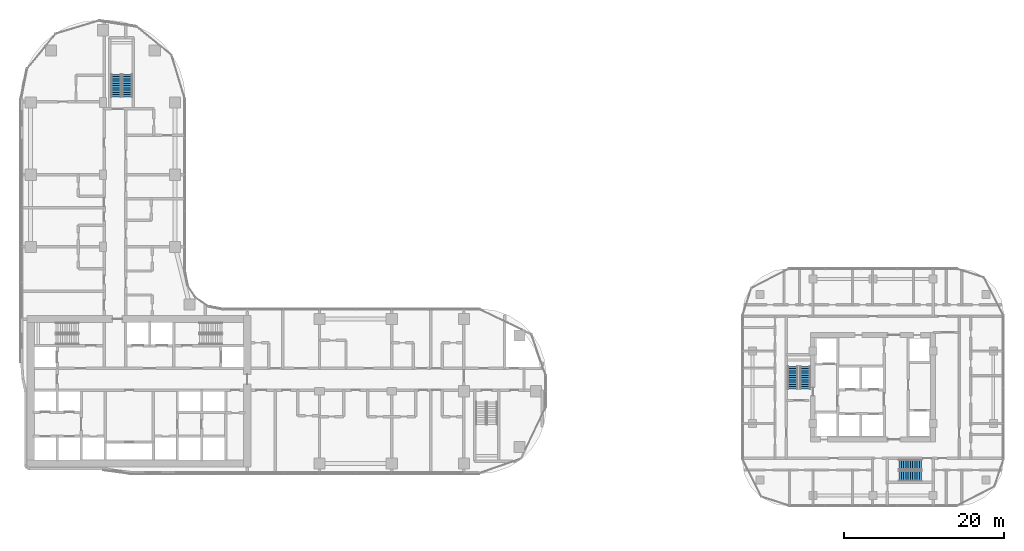
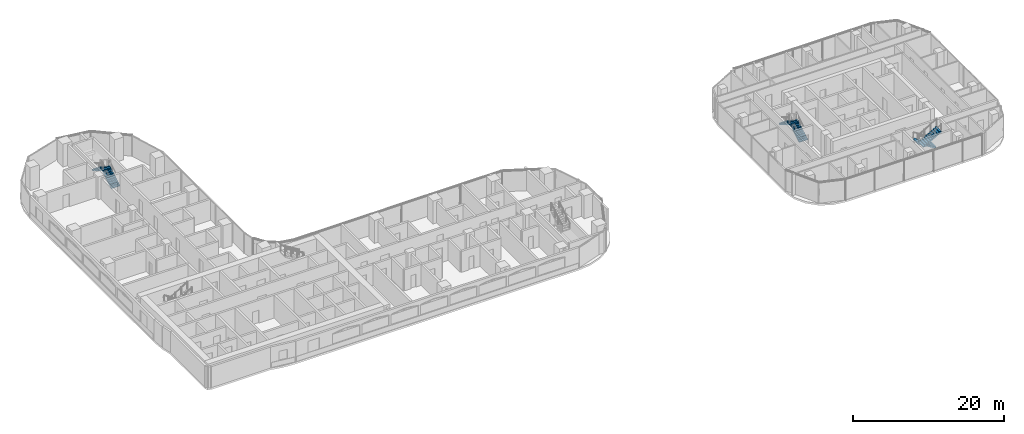
# One storey, part 29 of 36: 6 stair flights, 3 elements without a shape of their own.
"""IFC4 building model written with IfcOpenShell, lengths in metres."""

from ifc_helpers import new_model, si_unit, direction, frame, origin, place, context, subcontext, project, spatial, triangles, source, transform, mapped, material, type_object, element, aggregate, save


model = new_model("IFC4")

# Units and contexts
model_context = context("Model", 3, precision=1e-05, world=origin(), true_north=direction((0.0, 1.0)))
body_context = subcontext(model_context, "Body", "Model", "MODEL_VIEW")
ifc_project = project(units=[si_unit("LENGTHUNIT", "METRE"), si_unit("AREAUNIT", "SQUARE_METRE"), si_unit("VOLUMEUNIT", "CUBIC_METRE"), si_unit("PLANEANGLEUNIT", "RADIAN"), si_unit("MASSUNIT", "GRAM", prefix="KILO")], contexts=[model_context])

# Site, building, storey
site_placement = place(None, origin())
site = spatial("IfcSite", under=ifc_project, at=site_placement, CompositionType="ELEMENT")
building_placement = place(site_placement, origin())
building = spatial("IfcBuilding", under=site, at=building_placement, Name="Ogive Portal Towers", CompositionType="ELEMENT")
storey_placement = place(building_placement, frame((0.0, 0.0, 48.300048828125)))
storey = spatial("IfcBuildingStorey", under=building, at=storey_placement, Name="L10", CompositionType="ELEMENT", Elevation=48.300048828125)

# Stair, stair flights
ifc_material = material(Name="Concrete C40/50", Category="concrete")
stair_type = type_object("IfcStairType", Name="INT-STAIR", PredefinedType="HALF_TURN_STAIR", material=ifc_material)
stair_1_placement = place(storey_placement, origin())
stair_1 = element("IfcStair", 1, at=stair_1_placement, inside=storey, type_object=stair_type, Name="L10 Exit Stair ST-A3", PredefinedType="HALF_TURN_STAIR")
stair_flight_type = type_object("IfcStairFlightType", Name="INT-FLIGHT", PredefinedType="STRAIGHT", material=ifc_material)
shared_shape = source(origin(), body_context, "Body", "Tessellation", [
    triangles([(0.0, -0.650146484375, 0.0), (0.0, -0.376220703125, 0.0), (0.0, -0.192626953125, 0.0), (0.0, -0.081298828125, 0.0), (0.0, -0.024169921875, 0.0), (0.0, -0.003173828125, 0.0), (0.0, 0.0, 0.0), (0.0, 0.0029296875, 0.0), (0.0, 0.02392578125, 0.0), (0.0, 0.0810546875, 0.0), (0.0, 0.1923828125, 0.0), (0.0, 0.3759765625, 0.0), (0.0, 0.64990234375, 0.0), (0.0, -0.650146484375, 0.168212890625), (0.0, -0.376220703125, 0.168212890625), (0.0, -0.192626953125, 0.168212890625), (0.0, -0.081298828125, 0.168212890625), (0.0, -0.024169921875, 0.168212890625), (0.0, -0.003173828125, 0.168212890625), (0.0, 0.0, 0.168212890625), (0.0, 0.0029296875, 0.168212890625), (0.0, 0.02392578125, 0.168212890625), (0.0, 0.0810546875, 0.168212890625), (0.0, 0.1923828125, 0.168212890625), (0.0, 0.3759765625, 0.168212890625), (0.0, 0.64990234375, 0.168212890625), (0.280029296875, -0.650146484375, 0.168212890625), (0.280029296875, -0.376220703125, 0.168212890625), (0.280029296875, -0.192626953125, 0.168212890625), (0.280029296875, -0.081298828125, 0.168212890625), (0.280029296875, -0.024169921875, 0.168212890625), (0.280029296875, -0.003173828125, 0.168212890625), (0.280029296875, 0.0, 0.168212890625), (0.280029296875, 0.0029296875, 0.168212890625), (0.280029296875, 0.02392578125, 0.168212890625), (0.280029296875, 0.0810546875, 0.168212890625), (0.280029296875, 0.1923828125, 0.168212890625), (0.280029296875, 0.3759765625, 0.168212890625), (0.280029296875, 0.64990234375, 0.168212890625), (0.280029296875, -0.650146484375, 0.33642578125), (0.280029296875, -0.376220703125, 0.33642578125), (0.280029296875, -0.192626953125, 0.33642578125), (0.280029296875, -0.081298828125, 0.33642578125), (0.280029296875, -0.024169921875, 0.33642578125), (0.280029296875, -0.003173828125, 0.33642578125), (0.280029296875, 0.0, 0.33642578125), (0.280029296875, 0.0029296875, 0.33642578125), (0.280029296875, 0.02392578125, 0.33642578125), (0.280029296875, 0.0810546875, 0.33642578125), (0.280029296875, 0.1923828125, 0.33642578125), (0.280029296875, 0.3759765625, 0.33642578125), (0.280029296875, 0.64990234375, 0.33642578125), (0.56005859375, -0.650146484375, 0.33642578125), (0.56005859375, -0.376220703125, 0.33642578125), (0.56005859375, -0.192626953125, 0.33642578125), (0.56005859375, -0.081298828125, 0.33642578125), (0.56005859375, -0.024169921875, 0.33642578125), (0.56005859375, -0.003173828125, 0.33642578125), (0.56005859375, 0.0, 0.33642578125), (0.56005859375, 0.0029296875, 0.33642578125), (0.56005859375, 0.02392578125, 0.33642578125), (0.56005859375, 0.0810546875, 0.33642578125), (0.56005859375, 0.1923828125, 0.33642578125), (0.56005859375, 0.3759765625, 0.33642578125), (0.56005859375, 0.64990234375, 0.33642578125), (0.56005859375, -0.650146484375, 0.504638671875), (0.56005859375, -0.376220703125, 0.504638671875), (0.56005859375, -0.192626953125, 0.504638671875), (0.56005859375, -0.081298828125, 0.504638671875), (0.56005859375, -0.024169921875, 0.504638671875), (0.56005859375, -0.003173828125, 0.504638671875), (0.56005859375, 0.0, 0.504638671875), (0.56005859375, 0.0029296875, 0.504638671875), (0.56005859375, 0.02392578125, 0.504638671875), (0.56005859375, 0.0810546875, 0.504638671875), (0.56005859375, 0.1923828125, 0.504638671875), (0.56005859375, 0.3759765625, 0.504638671875), (0.56005859375, 0.64990234375, 0.504638671875), (0.840087890625, -0.650146484375, 0.504638671875), (0.840087890625, -0.376220703125, 0.504638671875), (0.840087890625, -0.192626953125, 0.504638671875), (0.840087890625, -0.081298828125, 0.504638671875), (0.840087890625, -0.024169921875, 0.504638671875), (0.840087890625, -0.003173828125, 0.504638671875), (0.840087890625, 0.0, 0.504638671875), (0.840087890625, 0.0029296875, 0.504638671875), (0.840087890625, 0.02392578125, 0.504638671875), (0.840087890625, 0.0810546875, 0.504638671875), (0.840087890625, 0.1923828125, 0.504638671875), (0.840087890625, 0.3759765625, 0.504638671875), (0.840087890625, 0.64990234375, 0.504638671875), (0.840087890625, -0.650146484375, 0.672607421875), (0.840087890625, -0.376220703125, 0.672607421875), (0.840087890625, -0.192626953125, 0.672607421875), (0.840087890625, -0.081298828125, 0.672607421875), (0.840087890625, -0.024169921875, 0.672607421875), (0.840087890625, -0.003173828125, 0.672607421875), (0.840087890625, 0.0, 0.672607421875), (0.840087890625, 0.0029296875, 0.672607421875), (0.840087890625, 0.02392578125, 0.672607421875), (0.840087890625, 0.0810546875, 0.672607421875), (0.840087890625, 0.1923828125, 0.672607421875), (0.840087890625, 0.3759765625, 0.672607421875), (0.840087890625, 0.64990234375, 0.672607421875), (1.1201171875, -0.650146484375, 0.672607421875), (1.1201171875, -0.376220703125, 0.672607421875), (1.1201171875, -0.192626953125, 0.672607421875), (1.1201171875, -0.081298828125, 0.672607421875), (1.1201171875, -0.024169921875, 0.672607421875), (1.1201171875, -0.003173828125, 0.672607421875), (1.1201171875, 0.0, 0.672607421875), (1.1201171875, 0.0029296875, 0.672607421875), (1.1201171875, 0.02392578125, 0.672607421875), (1.1201171875, 0.0810546875, 0.672607421875), (1.1201171875, 0.1923828125, 0.672607421875), (1.1201171875, 0.3759765625, 0.672607421875), (1.1201171875, 0.64990234375, 0.672607421875), (1.1201171875, -0.650146484375, 0.8408203125), (1.1201171875, -0.376220703125, 0.8408203125), (1.1201171875, -0.192626953125, 0.8408203125), (1.1201171875, -0.081298828125, 0.8408203125), (1.1201171875, -0.024169921875, 0.8408203125), (1.1201171875, -0.003173828125, 0.8408203125), (1.1201171875, 0.0, 0.8408203125), (1.1201171875, 0.0029296875, 0.8408203125), (1.1201171875, 0.02392578125, 0.8408203125), (1.1201171875, 0.0810546875, 0.8408203125), (1.1201171875, 0.1923828125, 0.8408203125), (1.1201171875, 0.3759765625, 0.8408203125), (1.1201171875, 0.64990234375, 0.8408203125), (1.39990234375, -0.650146484375, 0.8408203125), (1.39990234375, -0.376220703125, 0.8408203125), (1.39990234375, -0.192626953125, 0.8408203125), (1.39990234375, -0.081298828125, 0.8408203125), (1.39990234375, -0.024169921875, 0.8408203125), (1.39990234375, -0.003173828125, 0.8408203125), (1.39990234375, 0.0, 0.8408203125), (1.39990234375, 0.0029296875, 0.8408203125), (1.39990234375, 0.02392578125, 0.8408203125), (1.39990234375, 0.0810546875, 0.8408203125), (1.39990234375, 0.1923828125, 0.8408203125), (1.39990234375, 0.3759765625, 0.8408203125), (1.39990234375, 0.64990234375, 0.8408203125), (1.39990234375, -0.650146484375, 1.009033203125), (1.39990234375, -0.376220703125, 1.009033203125), (1.39990234375, -0.192626953125, 1.009033203125), (1.39990234375, -0.081298828125, 1.009033203125), (1.39990234375, -0.024169921875, 1.009033203125), (1.39990234375, -0.003173828125, 1.009033203125), (1.39990234375, 0.0, 1.009033203125), (1.39990234375, 0.0029296875, 1.009033203125), (1.39990234375, 0.02392578125, 1.009033203125), (1.39990234375, 0.0810546875, 1.009033203125), (1.39990234375, 0.1923828125, 1.009033203125), (1.39990234375, 0.3759765625, 1.009033203125), (1.39990234375, 0.64990234375, 1.009033203125), (1.679931640625, -0.650146484375, 1.009033203125), (1.679931640625, -0.376220703125, 1.009033203125), (1.679931640625, -0.192626953125, 1.009033203125), (1.679931640625, -0.081298828125, 1.009033203125), (1.679931640625, -0.024169921875, 1.009033203125), (1.679931640625, -0.003173828125, 1.009033203125), (1.679931640625, 0.0, 1.009033203125), (1.679931640625, 0.0029296875, 1.009033203125), (1.679931640625, 0.02392578125, 1.009033203125), (1.679931640625, 0.0810546875, 1.009033203125), (1.679931640625, 0.1923828125, 1.009033203125), (1.679931640625, 0.3759765625, 1.009033203125), (1.679931640625, 0.64990234375, 1.009033203125), (1.679931640625, -0.650146484375, 1.17724609375), (1.679931640625, -0.376220703125, 1.17724609375), (1.679931640625, -0.192626953125, 1.17724609375), (1.679931640625, -0.081298828125, 1.17724609375), (1.679931640625, -0.024169921875, 1.17724609375), (1.679931640625, -0.003173828125, 1.17724609375), (1.679931640625, 0.0, 1.17724609375), (1.679931640625, 0.0029296875, 1.17724609375), (1.679931640625, 0.02392578125, 1.17724609375), (1.679931640625, 0.0810546875, 1.17724609375), (1.679931640625, 0.1923828125, 1.17724609375), (1.679931640625, 0.3759765625, 1.17724609375), (1.679931640625, 0.64990234375, 1.17724609375), (1.9599609375, -0.650146484375, 1.17724609375), (1.9599609375, -0.376220703125, 1.17724609375), (1.9599609375, -0.192626953125, 1.17724609375), (1.9599609375, -0.081298828125, 1.17724609375), (1.9599609375, -0.024169921875, 1.17724609375), (1.9599609375, -0.003173828125, 1.17724609375), (1.9599609375, 0.0, 1.17724609375), (1.9599609375, 0.0029296875, 1.17724609375), (1.9599609375, 0.02392578125, 1.17724609375), (1.9599609375, 0.0810546875, 1.17724609375), (1.9599609375, 0.1923828125, 1.17724609375), (1.9599609375, 0.3759765625, 1.17724609375), (1.9599609375, 0.64990234375, 1.17724609375), (1.9599609375, -0.650146484375, 1.345458984375), (1.9599609375, -0.376220703125, 1.345458984375), (1.9599609375, -0.192626953125, 1.345458984375), (1.9599609375, -0.081298828125, 1.345458984375), (1.9599609375, -0.024169921875, 1.345458984375), (1.9599609375, -0.003173828125, 1.345458984375), (1.9599609375, 0.0, 1.345458984375), (1.9599609375, 0.0029296875, 1.345458984375), (1.9599609375, 0.02392578125, 1.345458984375), (1.9599609375, 0.0810546875, 1.345458984375), (1.9599609375, 0.1923828125, 1.345458984375), (1.9599609375, 0.3759765625, 1.345458984375), (1.9599609375, 0.64990234375, 1.345458984375), (2.239990234375, -0.650146484375, 1.345458984375), (2.239990234375, -0.376220703125, 1.345458984375), (2.239990234375, -0.192626953125, 1.345458984375), (2.239990234375, -0.081298828125, 1.345458984375), (2.239990234375, -0.024169921875, 1.345458984375), (2.239990234375, -0.003173828125, 1.345458984375), (2.239990234375, 0.0, 1.345458984375), (2.239990234375, 0.0029296875, 1.345458984375), (2.239990234375, 0.02392578125, 1.345458984375), (2.239990234375, 0.0810546875, 1.345458984375), (2.239990234375, 0.1923828125, 1.345458984375), (2.239990234375, 0.3759765625, 1.345458984375), (2.239990234375, 0.64990234375, 1.345458984375), (2.239990234375, -0.650146484375, 1.513671875), (2.239990234375, -0.376220703125, 1.513671875), (2.239990234375, -0.192626953125, 1.513671875), (2.239990234375, -0.081298828125, 1.513671875), (2.239990234375, -0.024169921875, 1.513671875), (2.239990234375, -0.003173828125, 1.513671875), (2.239990234375, 0.0, 1.513671875), (2.239990234375, 0.0029296875, 1.513671875), (2.239990234375, 0.02392578125, 1.513671875), (2.239990234375, 0.0810546875, 1.513671875), (2.239990234375, 0.1923828125, 1.513671875), (2.239990234375, 0.3759765625, 1.513671875), (2.239990234375, 0.64990234375, 1.513671875), (2.52001953125, -0.650146484375, 1.513671875), (2.52001953125, -0.376220703125, 1.513671875), (2.52001953125, -0.192626953125, 1.513671875), (2.52001953125, -0.081298828125, 1.513671875), (2.52001953125, -0.024169921875, 1.513671875), (2.52001953125, -0.003173828125, 1.513671875), (2.52001953125, 0.0, 1.513671875), (2.52001953125, 0.0029296875, 1.513671875), (2.52001953125, 0.02392578125, 1.513671875), (2.52001953125, 0.0810546875, 1.513671875), (2.52001953125, 0.1923828125, 1.513671875), (2.52001953125, 0.3759765625, 1.513671875), (2.52001953125, 0.64990234375, 1.513671875), (2.52001953125, -0.650146484375, 1.681884765625), (2.52001953125, -0.376220703125, 1.681884765625), (2.52001953125, -0.192626953125, 1.681884765625), (2.52001953125, -0.081298828125, 1.681884765625), (2.52001953125, -0.024169921875, 1.681884765625), (2.52001953125, -0.003173828125, 1.681884765625), (2.52001953125, 0.0, 1.681884765625), (2.52001953125, 0.0029296875, 1.681884765625), (2.52001953125, 0.02392578125, 1.681884765625), (2.52001953125, 0.0810546875, 1.681884765625), (2.52001953125, 0.1923828125, 1.681884765625), (2.52001953125, 0.3759765625, 1.681884765625), (2.52001953125, 0.64990234375, 1.681884765625), (2.800048828125, -0.650146484375, 1.681884765625), (2.800048828125, -0.376220703125, 1.681884765625), (2.800048828125, -0.192626953125, 1.681884765625), (2.800048828125, -0.081298828125, 1.681884765625), (2.800048828125, -0.024169921875, 1.681884765625), (2.800048828125, -0.003173828125, 1.681884765625), (2.800048828125, 0.0, 1.681884765625), (2.800048828125, 0.0029296875, 1.681884765625), (2.800048828125, 0.02392578125, 1.681884765625), (2.800048828125, 0.0810546875, 1.681884765625), (2.800048828125, 0.1923828125, 1.681884765625), (2.800048828125, 0.3759765625, 1.681884765625), (2.800048828125, 0.64990234375, 1.681884765625), (2.800048828125, -0.650146484375, 1.5068359375), (2.800048828125, -0.376220703125, 1.5068359375), (2.800048828125, -0.192626953125, 1.5068359375), (2.800048828125, -0.081298828125, 1.5068359375), (2.800048828125, -0.024169921875, 1.5068359375), (2.800048828125, -0.003173828125, 1.5068359375), (2.800048828125, 0.0, 1.5068359375), (2.800048828125, 0.0029296875, 1.5068359375), (2.800048828125, 0.02392578125, 1.5068359375), (2.800048828125, 0.0810546875, 1.5068359375), (2.800048828125, 0.1923828125, 1.5068359375), (2.800048828125, 0.3759765625, 1.5068359375), (2.800048828125, 0.64990234375, 1.5068359375), (0.291015625, -0.650146484375, 0.0), (0.291015625, -0.376220703125, 0.0), (0.291015625, -0.192626953125, 0.0), (0.291015625, -0.081298828125, 0.0), (0.291015625, -0.024169921875, 0.0), (0.291015625, -0.003173828125, 0.0), (0.291015625, 0.0, 0.0), (0.291015625, 0.0029296875, 0.0), (0.291015625, 0.02392578125, 0.0), (0.291015625, 0.0810546875, 0.0), (0.291015625, 0.1923828125, 0.0), (0.291015625, 0.3759765625, 0.0), (0.291015625, 0.64990234375, 0.0)], [[1, 14, 15], [1, 15, 2], [2, 15, 16], [2, 16, 3], [3, 16, 17], [3, 17, 4], [4, 17, 18], [4, 18, 5], [5, 18, 19], [5, 19, 6], [6, 19, 20], [6, 20, 7], [7, 20, 21], [7, 21, 8], [8, 21, 22], [8, 22, 9], [9, 22, 23], [9, 23, 10], [10, 23, 24], [10, 24, 11], [11, 24, 25], [11, 25, 12], [12, 25, 26], [12, 26, 13], [14, 27, 28], [14, 28, 15], [15, 28, 29], [15, 29, 16], [16, 29, 30], [16, 30, 17], [17, 30, 31], [17, 31, 18], [18, 31, 32], [18, 32, 19], [19, 32, 33], [19, 33, 20], [20, 33, 34], [20, 34, 21], [21, 34, 35], [21, 35, 22], [22, 35, 36], [22, 36, 23], [23, 36, 37], [23, 37, 24], [24, 37, 38], [24, 38, 25], [25, 38, 39], [25, 39, 26], [27, 40, 41], [27, 41, 28], [28, 41, 42], [28, 42, 29], [29, 42, 43], [29, 43, 30], [30, 43, 44], [30, 44, 31], [31, 44, 45], [31, 45, 32], [32, 45, 46], [32, 46, 33], [33, 46, 47], [33, 47, 34], [34, 47, 48], [34, 48, 35], [35, 48, 49], [35, 49, 36], [36, 49, 50], [36, 50, 37], [37, 50, 51], [37, 51, 38], [38, 51, 52], [38, 52, 39], [40, 53, 54], [40, 54, 41], [41, 54, 55], [41, 55, 42], [42, 55, 56], [42, 56, 43], [43, 56, 57], [43, 57, 44], [44, 57, 58], [44, 58, 45], [45, 58, 59], [45, 59, 46], [46, 59, 60], [46, 60, 47], [47, 60, 61], [47, 61, 48], [48, 61, 62], [48, 62, 49], [49, 62, 63], [49, 63, 50], [50, 63, 64], [50, 64, 51], [51, 64, 65], [51, 65, 52], [53, 66, 67], [53, 67, 54], [54, 67, 68], [54, 68, 55], [55, 68, 69], [55, 69, 56], [56, 69, 70], [56, 70, 57], [57, 70, 71], [57, 71, 58], [58, 71, 72], [58, 72, 59], [59, 72, 73], [59, 73, 60], [60, 73, 74], [60, 74, 61], [61, 74, 75], [61, 75, 62], [62, 75, 76], [62, 76, 63], [63, 76, 77], [63, 77, 64], [64, 77, 78], [64, 78, 65], [66, 79, 80], [66, 80, 67], [67, 80, 81], [67, 81, 68], [68, 81, 82], [68, 82, 69], [69, 82, 83], [69, 83, 70], [70, 83, 84], [70, 84, 71], [71, 84, 85], [71, 85, 72], [72, 85, 86], [72, 86, 73], [73, 86, 87], [73, 87, 74], [74, 87, 88], [74, 88, 75], [75, 88, 89], [75, 89, 76], [76, 89, 90], [76, 90, 77], [77, 90, 91], [77, 91, 78], [79, 92, 93], [79, 93, 80], [80, 93, 94], [80, 94, 81], [81, 94, 95], [81, 95, 82], [82, 95, 96], [82, 96, 83], [83, 96, 97], [83, 97, 84], [84, 97, 98], [84, 98, 85], [85, 98, 99], [85, 99, 86], [86, 99, 100], [86, 100, 87], [87, 100, 101], [87, 101, 88], [88, 101, 102], [88, 102, 89], [89, 102, 103], [89, 103, 90], [90, 103, 104], [90, 104, 91], [92, 105, 106], [92, 106, 93], [93, 106, 107], [93, 107, 94], [94, 107, 108], [94, 108, 95], [95, 108, 109], [95, 109, 96], [96, 109, 110], [96, 110, 97], [97, 110, 111], [97, 111, 98], [98, 111, 112], [98, 112, 99], [99, 112, 113], [99, 113, 100], [100, 113, 114], [100, 114, 101], [101, 114, 115], [101, 115, 102], [102, 115, 116], [102, 116, 103], [103, 116, 117], [103, 117, 104], [105, 118, 119], [105, 119, 106], [106, 119, 120], [106, 120, 107], [107, 120, 121], [107, 121, 108], [108, 121, 122], [108, 122, 109], [109, 122, 123], [109, 123, 110], [110, 123, 124], [110, 124, 111], [111, 124, 125], [111, 125, 112], [112, 125, 126], [112, 126, 113], [113, 126, 127], [113, 127, 114], [114, 127, 128], [114, 128, 115], [115, 128, 129], [115, 129, 116], [116, 129, 130], [116, 130, 117], [118, 131, 132], [118, 132, 119], [119, 132, 133], [119, 133, 120], [120, 133, 134], [120, 134, 121], [121, 134, 135], [121, 135, 122], [122, 135, 136], [122, 136, 123], [123, 136, 137], [123, 137, 124], [124, 137, 138], [124, 138, 125], [125, 138, 139], [125, 139, 126], [126, 139, 140], [126, 140, 127], [127, 140, 141], [127, 141, 128], [128, 141, 142], [128, 142, 129], [129, 142, 143], [129, 143, 130], [131, 144, 145], [131, 145, 132], [132, 145, 146], [132, 146, 133], [133, 146, 147], [133, 147, 134], [134, 147, 148], [134, 148, 135], [135, 148, 149], [135, 149, 136], [136, 149, 150], [136, 150, 137], [137, 150, 151], [137, 151, 138], [138, 151, 152], [138, 152, 139], [139, 152, 153], [139, 153, 140], [140, 153, 154], [140, 154, 141], [141, 154, 155], [141, 155, 142], [142, 155, 156], [142, 156, 143], [144, 157, 158], [144, 158, 145], [145, 158, 159], [145, 159, 146], [146, 159, 160], [146, 160, 147], [147, 160, 161], [147, 161, 148], [148, 161, 162], [148, 162, 149], [149, 162, 163], [149, 163, 150], [150, 163, 164], [150, 164, 151], [151, 164, 165], [151, 165, 152], [152, 165, 166], [152, 166, 153], [153, 166, 167], [153, 167, 154], [154, 167, 168], [154, 168, 155], [155, 168, 169], [155, 169, 156], [157, 170, 171], [157, 171, 158], [158, 171, 172], [158, 172, 159], [159, 172, 173], [159, 173, 160], [160, 173, 174], [160, 174, 161], [161, 174, 175], [161, 175, 162], [162, 175, 176], [162, 176, 163], [163, 176, 177], [163, 177, 164], [164, 177, 178], [164, 178, 165], [165, 178, 179], [165, 179, 166], [166, 179, 180], [166, 180, 167], [167, 180, 181], [167, 181, 168], [168, 181, 182], [168, 182, 169], [170, 183, 184], [170, 184, 171], [171, 184, 185], [171, 185, 172], [172, 185, 186], [172, 186, 173], [173, 186, 187], [173, 187, 174], [174, 187, 188], [174, 188, 175], [175, 188, 189], [175, 189, 176], [176, 189, 190], [176, 190, 177], [177, 190, 191], [177, 191, 178], [178, 191, 192], [178, 192, 179], [179, 192, 193], [179, 193, 180], [180, 193, 194], [180, 194, 181], [181, 194, 195], [181, 195, 182], [183, 196, 197], [183, 197, 184], [184, 197, 198], [184, 198, 185], [185, 198, 199], [185, 199, 186], [186, 199, 200], [186, 200, 187], [187, 200, 201], [187, 201, 188], [188, 201, 202], [188, 202, 189], [189, 202, 203], [189, 203, 190], [190, 203, 204], [190, 204, 191], [191, 204, 205], [191, 205, 192], [192, 205, 206], [192, 206, 193], [193, 206, 207], [193, 207, 194], [194, 207, 208], [194, 208, 195], [196, 209, 210], [196, 210, 197], [197, 210, 211], [197, 211, 198], [198, 211, 212], [198, 212, 199], [199, 212, 213], [199, 213, 200], [200, 213, 214], [200, 214, 201], [201, 214, 215], [201, 215, 202], [202, 215, 216], [202, 216, 203], [203, 216, 217], [203, 217, 204], [204, 217, 218], [204, 218, 205], [205, 218, 219], [205, 219, 206], [206, 219, 220], [206, 220, 207], [207, 220, 221], [207, 221, 208], [209, 222, 223], [209, 223, 210], [210, 223, 224], [210, 224, 211], [211, 224, 225], [211, 225, 212], [212, 225, 226], [212, 226, 213], [213, 226, 227], [213, 227, 214], [214, 227, 228], [214, 228, 215], [215, 228, 229], [215, 229, 216], [216, 229, 230], [216, 230, 217], [217, 230, 231], [217, 231, 218], [218, 231, 232], [218, 232, 219], [219, 232, 233], [219, 233, 220], [220, 233, 234], [220, 234, 221], [222, 235, 236], [222, 236, 223], [223, 236, 237], [223, 237, 224], [224, 237, 238], [224, 238, 225], [225, 238, 239], [225, 239, 226], [226, 239, 240], [226, 240, 227], [227, 240, 241], [227, 241, 228], [228, 241, 242], [228, 242, 229], [229, 242, 243], [229, 243, 230], [230, 243, 244], [230, 244, 231], [231, 244, 245], [231, 245, 232], [232, 245, 246], [232, 246, 233], [233, 246, 247], [233, 247, 234], [235, 248, 249], [235, 249, 236], [236, 249, 250], [236, 250, 237], [237, 250, 251], [237, 251, 238], [238, 251, 252], [238, 252, 239], [239, 252, 253], [239, 253, 240], [240, 253, 254], [240, 254, 241], [241, 254, 255], [241, 255, 242], [242, 255, 256], [242, 256, 243], [243, 256, 257], [243, 257, 244], [244, 257, 258], [244, 258, 245], [245, 258, 259], [245, 259, 246], [246, 259, 260], [246, 260, 247], [248, 261, 262], [248, 262, 249], [249, 262, 263], [249, 263, 250], [250, 263, 264], [250, 264, 251], [251, 264, 265], [251, 265, 252], [252, 265, 266], [252, 266, 253], [253, 266, 267], [253, 267, 254], [254, 267, 268], [254, 268, 255], [255, 268, 269], [255, 269, 256], [256, 269, 270], [256, 270, 257], [257, 270, 271], [257, 271, 258], [258, 271, 272], [258, 272, 259], [259, 272, 273], [259, 273, 260], [261, 274, 275], [261, 275, 262], [262, 275, 276], [262, 276, 263], [263, 276, 277], [263, 277, 264], [264, 277, 278], [264, 278, 265], [265, 278, 279], [265, 279, 266], [266, 279, 280], [266, 280, 267], [267, 280, 281], [267, 281, 268], [268, 281, 282], [268, 282, 269], [269, 282, 283], [269, 283, 270], [270, 283, 284], [270, 284, 271], [271, 284, 285], [271, 285, 272], [272, 285, 286], [272, 286, 273], [274, 287, 288], [274, 288, 275], [275, 288, 289], [275, 289, 276], [276, 289, 290], [276, 290, 277], [277, 290, 291], [277, 291, 278], [278, 291, 292], [278, 292, 279], [279, 292, 293], [279, 293, 280], [280, 293, 294], [280, 294, 281], [281, 294, 295], [281, 295, 282], [282, 295, 296], [282, 296, 283], [283, 296, 297], [283, 297, 284], [284, 297, 298], [284, 298, 285], [285, 298, 299], [285, 299, 286], [287, 1, 2], [287, 2, 288], [288, 2, 3], [288, 3, 289], [289, 3, 4], [289, 4, 290], [290, 4, 5], [290, 5, 291], [291, 5, 6], [291, 6, 292], [292, 6, 7], [292, 7, 293], [293, 7, 8], [293, 8, 294], [294, 8, 9], [294, 9, 295], [295, 9, 10], [295, 10, 296], [296, 10, 11], [296, 11, 297], [297, 11, 12], [297, 12, 298], [298, 12, 13], [298, 13, 299], [1, 287, 274], [13, 286, 299], [274, 261, 248], [286, 260, 273], [274, 248, 235], [286, 247, 260], [274, 235, 222], [286, 234, 247], [274, 222, 209], [286, 221, 234], [209, 196, 183], [221, 195, 208], [274, 209, 183], [286, 195, 221], [183, 170, 157], [195, 169, 182], [274, 183, 157], [286, 169, 195], [157, 144, 131], [169, 143, 156], [274, 157, 131], [286, 143, 169], [131, 118, 105], [143, 117, 130], [274, 131, 105], [286, 117, 143], [1, 274, 105], [13, 117, 286], [105, 92, 79], [117, 91, 104], [79, 66, 53], [91, 65, 78], [105, 79, 53], [117, 65, 91], [53, 40, 27], [65, 39, 52], [105, 53, 27], [117, 39, 65], [1, 105, 27], [13, 39, 117], [27, 14, 1], [39, 13, 26]], closed=True),
])
stair_flight_1_placement = place(storey_placement, frame((43.550048828125, 67.199951171875, 0.0), z_axis=(0.0, 0.0, 1.0), x_axis=(0.0, 1.0, 0.0)))
stair_flight_1 = element("IfcStairFlight", 2, at=stair_flight_1_placement, type_object=stair_flight_type, Name="ST-A3 flight 1", NumberOfRisers=11, NumberOfTreads=10, PredefinedType="STRAIGHT", RiserHeight=0.168181818, TreadLength=0.28, context=body_context, shape_type="MappedRepresentation", body=[
    mapped(shared_shape, transform((0.0, 0.0, 0.0), scale=1.0)),
])
stair_flight_2_placement = place(storey_placement, frame((42.14990234375, 70.0, 1.849853515625), z_axis=(0.0, 0.0, 1.0), x_axis=(0.0, -1.0, 0.0)))
stair_flight_2 = element("IfcStairFlight", 3, at=stair_flight_2_placement, type_object=stair_flight_type, Name="ST-A3 flight 2", NumberOfRisers=11, NumberOfTreads=10, PredefinedType="STRAIGHT", RiserHeight=0.168181818, TreadLength=0.28, context=body_context, shape_type="MappedRepresentation", body=[
    mapped(shared_shape, transform((0.0, 0.0, 0.0), scale=1.0)),
])
aggregate(stair_1, [stair_flight_1, stair_flight_2])

stair_2_placement = place(storey_placement, origin())
stair_2 = element("IfcStair", 4, at=stair_2_placement, inside=storey, type_object=stair_type, Name="L10 Exit Stair ST-B1", PredefinedType="HALF_TURN_STAIR")
stair_flight_3_placement = place(storey_placement, frame((128.050048828125, 30.800048828125, 0.0), z_axis=(0.0, 0.0, 1.0), x_axis=(0.0, 1.0, 0.0)))
stair_flight_3 = element("IfcStairFlight", 5, at=stair_flight_3_placement, type_object=stair_flight_type, Name="ST-B1 flight 1", NumberOfRisers=11, NumberOfTreads=10, PredefinedType="STRAIGHT", RiserHeight=0.168181818, TreadLength=0.28, context=body_context, shape_type="MappedRepresentation", body=[
    mapped(shared_shape, transform((0.0, 0.0, 0.0), scale=1.0)),
])
stair_flight_4_placement = place(storey_placement, frame((126.5, 33.60009765625, 1.849853515625), z_axis=(0.0, 0.0, 1.0), x_axis=(0.0, -1.0, 0.0)))
stair_flight_4 = element("IfcStairFlight", 6, at=stair_flight_4_placement, type_object=stair_flight_type, Name="ST-B1 flight 2", NumberOfRisers=11, NumberOfTreads=10, PredefinedType="STRAIGHT", RiserHeight=0.168181818, TreadLength=0.28, context=body_context, shape_type="MappedRepresentation", body=[
    mapped(shared_shape, transform((0.0, 0.0, 0.0), scale=1.0)),
])
aggregate(stair_2, [stair_flight_3, stair_flight_4])

stair_3_placement = place(storey_placement, origin())
stair_3 = element("IfcStair", 7, at=stair_3_placement, inside=storey, type_object=stair_type, Name="L10 Exit Stair ST-B2", PredefinedType="HALF_TURN_STAIR")
stair_flight_5_placement = place(storey_placement, frame((142.550048828125, 21.35009765625, 0.0), z_axis=(0.0, 0.0, 1.0), x_axis=(-1.0, 0.0, 0.0)))
stair_flight_5 = element("IfcStairFlight", 8, at=stair_flight_5_placement, type_object=stair_flight_type, Name="ST-B2 flight 1", NumberOfRisers=11, NumberOfTreads=10, PredefinedType="STRAIGHT", RiserHeight=0.168181818, TreadLength=0.28, context=body_context, shape_type="MappedRepresentation", body=[
    mapped(shared_shape, transform((0.0, 0.0, 0.0), scale=1.0)),
])
stair_flight_6_placement = place(storey_placement, frame((139.75, 19.949951171875, 1.849853515625), z_axis=(0.0, 0.0, 1.0), x_axis=(1.0, 0.0, 0.0)))
stair_flight_6 = element("IfcStairFlight", 9, at=stair_flight_6_placement, type_object=stair_flight_type, Name="ST-B2 flight 2", NumberOfRisers=11, NumberOfTreads=10, PredefinedType="STRAIGHT", RiserHeight=0.168181818, TreadLength=0.28, context=body_context, shape_type="MappedRepresentation", body=[
    mapped(shared_shape, transform((0.0, 0.0, 0.0), scale=1.0)),
])
aggregate(stair_3, [stair_flight_5, stair_flight_6])

save(model, "model.ifc")
